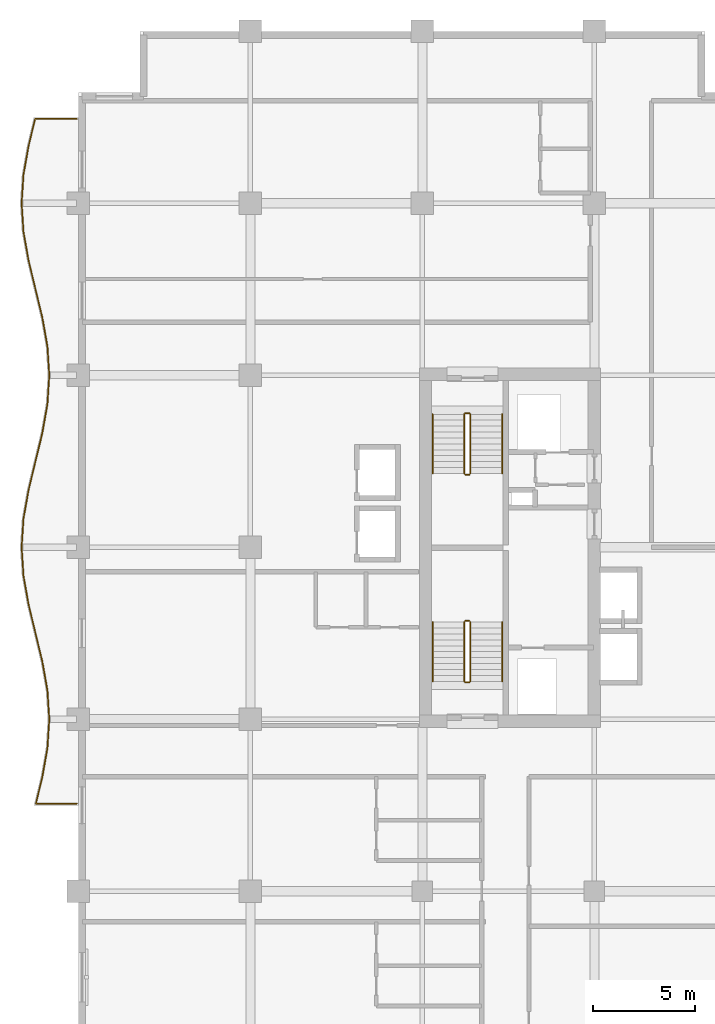
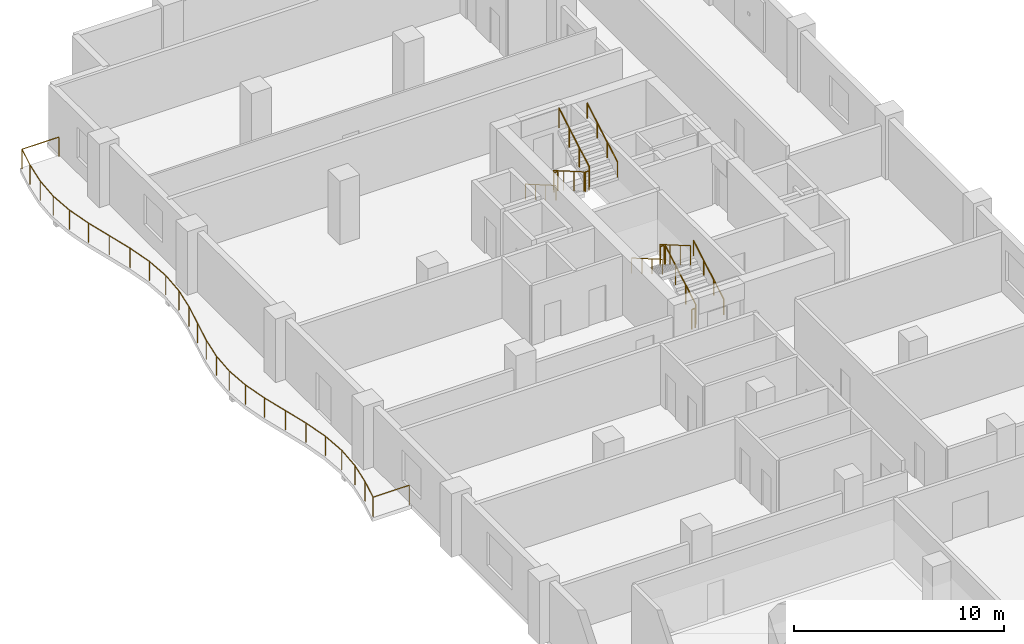
# One storey, part 19 of 20: 13 railings.
"""IFC4 building model written with IfcOpenShell, lengths in metres."""

from ifc_helpers import new_model, si_unit, direction, frame, origin, origin_2d, place, context, subcontext, project, spatial, circle, extrude, material, type_object, element, save


model = new_model("IFC4")

# Units and contexts
model_context = context("Model", 3, precision=1e-05, world=origin(), true_north=direction((0.0, 1.0)))
body_context = subcontext(model_context, "Body", "Model", "MODEL_VIEW")
ifc_project = project(units=[si_unit("LENGTHUNIT", "METRE"), si_unit("AREAUNIT", "SQUARE_METRE"), si_unit("VOLUMEUNIT", "CUBIC_METRE"), si_unit("PLANEANGLEUNIT", "RADIAN"), si_unit("MASSUNIT", "GRAM", prefix="KILO")], contexts=[model_context])

# Site, building, storey
site_placement = place(None, origin())
site = spatial("IfcSite", under=ifc_project, at=site_placement, CompositionType="ELEMENT")
building_placement = place(site_placement, origin())
building = spatial("IfcBuilding", under=site, at=building_placement, Name="Koriwani Terraces Tower", CompositionType="ELEMENT")
storey_placement = place(building_placement, frame((0.0, 0.0, 212.39990234375)))
storey = spatial("IfcBuildingStorey", under=building, at=storey_placement, Name="L52", CompositionType="ELEMENT", Elevation=212.39990234375)

# Railings
ifc_material = material(Name="Steel ASTM A572 Grade 50", Category="steel")
railing_type_1 = type_object("IfcRailingType", Name="GUARD_BALUSTRADE_1150", PredefinedType="BALUSTRADE", material=ifc_material)
railing_1_placement = place(storey_placement, frame((-0.080078125, 37.8798828125, 0.0)))
element("IfcRailing", 1, at=railing_1_placement, inside=storey, type_object=railing_type_1, Name="L52 Balcony Perimeter Safety Balustrade (W)", PredefinedType="BALUSTRADE", context=body_context, shape_type="SweptSolid", body=[
    extrude(circle(Radius=0.02392578125, at=origin_2d()), frame((0.0, 0.0, 1.1259765625), z_axis=(-1.0, 0.0, 0.0), x_axis=(0.0, -1.0, 0.0)), (0.0, 0.0, 1.0), 1.993408203125),
    extrude(circle(Radius=0.02392578125, at=origin_2d()), frame((-1.993408203125, 0.0, 1.1259765625), z_axis=(0.234302390999, 0.972163766848, 0.0), x_axis=(-0.972163766848, 0.234302390999, 0.0)), (0.0, 0.0, 1.0), 1.341064453125),
    extrude(circle(Radius=0.02392578125, at=origin_2d()), frame((-1.67919921875, 1.3037109375, 1.1259765625), z_axis=(0.173785333909, 0.984783558818, 0.0), x_axis=(-0.984783558818, 0.173785333909, 0.0)), (0.0, 0.0, 1.0), 1.4287109375),
    extrude(circle(Radius=0.02392578125, at=origin_2d()), frame((-1.430908203125, 2.710693359375, 1.1259765625), z_axis=(0.064304534842, 0.997930321615, 0.0), x_axis=(-0.997930321615, 0.064304534842, 0.0)), (0.0, 0.0, 1.0), 1.412353515625),
    extrude(circle(Radius=0.02392578125, at=origin_2d()), frame((-1.340087890625, 4.1201171875, 1.1259765625), z_axis=(-0.064304534842, 0.997930321615, 0.0), x_axis=(-0.997930321615, -0.064304534842, 0.0)), (0.0, 0.0, 1.0), 1.412353515625),
    extrude(circle(Radius=0.02392578125, at=origin_2d()), frame((-1.430908203125, 5.529541015625, 1.1259765625), z_axis=(-0.173785333909, 0.984783558818, 0.0), x_axis=(-0.984783558818, -0.173785333909, 0.0)), (0.0, 0.0, 1.0), 1.4287109375),
    extrude(circle(Radius=0.02392578125, at=origin_2d()), frame((-1.67919921875, 6.9365234375, 1.1259765625), z_axis=(-0.234309052487, 0.97216216133, 0.0), x_axis=(-0.97216216133, -0.234309052487, 0.0)), (0.0, 0.0, 1.0), 2.8798828125),
    extrude(circle(Radius=0.02392578125, at=origin_2d()), frame((-2.35400390625, 9.736328125, 1.1259765625), z_axis=(-0.173932985997, 0.984757491153, 0.0), x_axis=(-0.984757491153, -0.173932985997, 0.0)), (0.0, 0.0, 1.0), 1.414794921875),
    extrude(circle(Radius=0.02392578125, at=origin_2d()), frame((-2.60009765625, 11.129638671875, 1.1259765625), z_axis=(-0.064309099225, 0.997930027485, 0.0), x_axis=(-0.997930027485, -0.064309099225, 0.0)), (0.0, 0.0, 1.0), 1.393310546875),
    extrude(circle(Radius=0.02392578125, at=origin_2d()), frame((-2.689697265625, 12.52001953125, 1.1259765625), z_axis=(0.064309099225, 0.997930027485, 0.0), x_axis=(-0.997930027485, 0.064309099225, 0.0)), (0.0, 0.0, 1.0), 1.393310546875),
    extrude(circle(Radius=0.02392578125, at=origin_2d()), frame((-2.60009765625, 13.910400390625, 1.1259765625), z_axis=(0.173932985997, 0.984757491153, 0.0), x_axis=(-0.984757491153, 0.173932985997, 0.0)), (0.0, 0.0, 1.0), 1.414794921875),
    extrude(circle(Radius=0.02392578125, at=origin_2d()), frame((-2.35400390625, 15.3037109375, 1.1259765625), z_axis=(0.234289744186, 0.972166814785, 0.0), x_axis=(-0.972166814785, 0.234289744186, 0.0)), (0.0, 0.0, 1.0), 2.880126953125),
    extrude(circle(Radius=0.02392578125, at=origin_2d()), frame((-1.67919921875, 18.103759765625, 1.1259765625), z_axis=(0.173814583381, 0.984778396698, 0.0), x_axis=(-0.984778396698, 0.173814583381, 0.0)), (0.0, 0.0, 1.0), 1.428466796875),
    extrude(circle(Radius=0.02392578125, at=origin_2d()), frame((-1.430908203125, 19.510498046875, 1.1259765625), z_axis=(0.064293443969, 0.997931036226, 0.0), x_axis=(-0.997931036226, 0.064293443969, 0.0)), (0.0, 0.0, 1.0), 1.41259765625),
    extrude(circle(Radius=0.02392578125, at=origin_2d()), frame((-1.340087890625, 20.920166015625, 1.1259765625), z_axis=(-0.064304534842, 0.997930321615, 0.0), x_axis=(-0.997930321615, -0.064304534842, 0.0)), (0.0, 0.0, 1.0), 1.412353515625),
    extrude(circle(Radius=0.02392578125, at=origin_2d()), frame((-1.430908203125, 22.32958984375, 1.1259765625), z_axis=(-0.173814583381, 0.984778396698, 0.0), x_axis=(-0.984778396698, -0.173814583381, 0.0)), (0.0, 0.0, 1.0), 1.428466796875),
    extrude(circle(Radius=0.02392578125, at=origin_2d()), frame((-1.67919921875, 23.736328125, 1.1259765625), z_axis=(-0.234289744186, 0.972166814785, 0.0), x_axis=(-0.972166814785, -0.234289744186, 0.0)), (0.0, 0.0, 1.0), 2.880126953125),
    extrude(circle(Radius=0.02392578125, at=origin_2d()), frame((-2.35400390625, 26.536376953125, 1.1259765625), z_axis=(-0.173932985997, 0.984757491153, 0.0), x_axis=(-0.984757491153, -0.173932985997, 0.0)), (0.0, 0.0, 1.0), 1.414794921875),
    extrude(circle(Radius=0.02392578125, at=origin_2d()), frame((-2.60009765625, 27.9296875, 1.1259765625), z_axis=(-0.064309099225, 0.997930027485, 0.0), x_axis=(-0.997930027485, -0.064309099225, 0.0)), (0.0, 0.0, 1.0), 1.393310546875),
    extrude(circle(Radius=0.02392578125, at=origin_2d()), frame((-2.689697265625, 29.320068359375, 1.1259765625), z_axis=(0.064309099225, 0.997930027485, 0.0), x_axis=(-0.997930027485, 0.064309099225, 0.0)), (0.0, 0.0, 1.0), 1.393310546875),
    extrude(circle(Radius=0.02392578125, at=origin_2d()), frame((-2.60009765625, 30.71044921875, 1.1259765625), z_axis=(0.173932985997, 0.984757491153, 0.0), x_axis=(-0.984757491153, 0.173932985997, 0.0)), (0.0, 0.0, 1.0), 1.414794921875),
    extrude(circle(Radius=0.02392578125, at=origin_2d()), frame((-2.35400390625, 32.103759765625, 1.1259765625), z_axis=(0.234252790362, 0.97217571982, 0.0), x_axis=(-0.97217571982, 0.234252790362, 0.0)), (0.0, 0.0, 1.0), 1.374755859375),
    extrude(circle(Radius=0.02392578125, at=origin_2d()), frame((-2.031982421875, 33.440185546875, 1.1259765625), z_axis=(1.0, 0.0, 0.0), x_axis=(0.0, 1.0, 0.0)), (0.0, 0.0, 1.0), 2.031982421875),
    extrude(circle(Radius=0.02099609375, at=origin_2d()), origin(), (0.0, 0.0, 1.0), 1.101806640625),
    extrude(circle(Radius=0.02099609375, at=origin_2d()), frame((-1.993408203125, 0.0, 0.0)), (0.0, 0.0, 1.0), 1.101806640625),
    extrude(circle(Radius=0.02099609375, at=origin_2d()), frame((-1.67919921875, 1.3037109375, 0.0)), (0.0, 0.0, 1.0), 1.101806640625),
    extrude(circle(Radius=0.02099609375, at=origin_2d()), frame((-1.430908203125, 2.710693359375, 0.0)), (0.0, 0.0, 1.0), 1.101806640625),
    extrude(circle(Radius=0.02099609375, at=origin_2d()), frame((-1.340087890625, 4.1201171875, 0.0)), (0.0, 0.0, 1.0), 1.101806640625),
    extrude(circle(Radius=0.02099609375, at=origin_2d()), frame((-1.430908203125, 5.529541015625, 0.0)), (0.0, 0.0, 1.0), 1.101806640625),
    extrude(circle(Radius=0.02099609375, at=origin_2d()), frame((-1.67919921875, 6.9365234375, 0.0)), (0.0, 0.0, 1.0), 1.101806640625),
    extrude(circle(Radius=0.02099609375, at=origin_2d()), frame((-2.0166015625, 8.33642578125, 0.0)), (0.0, 0.0, 1.0), 1.101806640625),
    extrude(circle(Radius=0.02099609375, at=origin_2d()), frame((-2.35400390625, 9.736328125, 0.0)), (0.0, 0.0, 1.0), 1.101806640625),
    extrude(circle(Radius=0.02099609375, at=origin_2d()), frame((-2.60009765625, 11.129638671875, 0.0)), (0.0, 0.0, 1.0), 1.101806640625),
    extrude(circle(Radius=0.02099609375, at=origin_2d()), frame((-2.689697265625, 12.52001953125, 0.0)), (0.0, 0.0, 1.0), 1.101806640625),
    extrude(circle(Radius=0.02099609375, at=origin_2d()), frame((-2.60009765625, 13.910400390625, 0.0)), (0.0, 0.0, 1.0), 1.101806640625),
    extrude(circle(Radius=0.02099609375, at=origin_2d()), frame((-2.35400390625, 15.3037109375, 0.0)), (0.0, 0.0, 1.0), 1.101806640625),
    extrude(circle(Radius=0.02099609375, at=origin_2d()), frame((-2.0166015625, 16.70361328125, 0.0)), (0.0, 0.0, 1.0), 1.101806640625),
    extrude(circle(Radius=0.02099609375, at=origin_2d()), frame((-1.67919921875, 18.103759765625, 0.0)), (0.0, 0.0, 1.0), 1.101806640625),
    extrude(circle(Radius=0.02099609375, at=origin_2d()), frame((-1.430908203125, 19.510498046875, 0.0)), (0.0, 0.0, 1.0), 1.101806640625),
    extrude(circle(Radius=0.02099609375, at=origin_2d()), frame((-1.340087890625, 20.920166015625, 0.0)), (0.0, 0.0, 1.0), 1.101806640625),
    extrude(circle(Radius=0.02099609375, at=origin_2d()), frame((-1.430908203125, 22.32958984375, 0.0)), (0.0, 0.0, 1.0), 1.101806640625),
    extrude(circle(Radius=0.02099609375, at=origin_2d()), frame((-1.67919921875, 23.736328125, 0.0)), (0.0, 0.0, 1.0), 1.101806640625),
    extrude(circle(Radius=0.02099609375, at=origin_2d()), frame((-2.0166015625, 25.13623046875, 0.0)), (0.0, 0.0, 1.0), 1.101806640625),
    extrude(circle(Radius=0.02099609375, at=origin_2d()), frame((-2.35400390625, 26.536376953125, 0.0)), (0.0, 0.0, 1.0), 1.101806640625),
    extrude(circle(Radius=0.02099609375, at=origin_2d()), frame((-2.60009765625, 27.9296875, 0.0)), (0.0, 0.0, 1.0), 1.101806640625),
    extrude(circle(Radius=0.02099609375, at=origin_2d()), frame((-2.689697265625, 29.320068359375, 0.0)), (0.0, 0.0, 1.0), 1.101806640625),
    extrude(circle(Radius=0.02099609375, at=origin_2d()), frame((-2.60009765625, 30.71044921875, 0.0)), (0.0, 0.0, 1.0), 1.101806640625),
    extrude(circle(Radius=0.02099609375, at=origin_2d()), frame((-2.35400390625, 32.103759765625, 0.0)), (0.0, 0.0, 1.0), 1.101806640625),
    extrude(circle(Radius=0.02099609375, at=origin_2d()), frame((-2.031982421875, 33.440185546875, 0.0)), (0.0, 0.0, 1.0), 1.101806640625),
    extrude(circle(Radius=0.02099609375, at=origin_2d()), frame((0.0, 33.440185546875, 0.0)), (0.0, 0.0, 1.0), 1.101806640625),
])
railing_type_2 = type_object("IfcRailingType", Name="GUARD_STAIR_WELL_1120", PredefinedType="GUARDRAIL", material=ifc_material)
railing_2_placement = place(storey_placement, frame((19.14990234375, 43.85009765625, 0.168212890625)))
element("IfcRailing", 2, at=railing_2_placement, inside=storey, type_object=railing_type_2, Name="L52 ST-W1 stair guard 1", PredefinedType="GUARDRAIL", context=body_context, shape_type="SweptSolid", body=[
    extrude(circle(Radius=0.02392578125, at=origin_2d()), frame((0.0, 0.0, 1.1259765625), z_axis=(0.0, 0.865038774852, 0.501705010941), x_axis=(-1.0, 0.0, 0.0)), (0.0, 0.0, 1.0), 3.352294921875),
    extrude(circle(Radius=0.02099609375, at=origin_2d()), origin(), (0.0, 0.0, 1.0), 1.101806640625),
    extrude(circle(Radius=0.02099609375, at=origin_2d()), frame((0.0, 0.966552734375, 0.560546875)), (0.0, 0.0, 1.0), 1.101806640625),
    extrude(circle(Radius=0.02099609375, at=origin_2d()), frame((0.0, 1.933349609375, 1.121337890625)), (0.0, 0.0, 1.0), 1.101806640625),
    extrude(circle(Radius=0.02099609375, at=origin_2d()), frame((0.0, 2.89990234375, 1.681884765625)), (0.0, 0.0, 1.0), 1.101806640625),
])
railing_3_placement = place(storey_placement, frame((19.10009765625, 46.800048828125, 1.85009765625)))
element("IfcRailing", 3, at=railing_3_placement, inside=storey, type_object=railing_type_2, Name="L52 ST-W1 stair guard 2", PredefinedType="GUARDRAIL", context=body_context, shape_type="SweptSolid", body=[
    extrude(circle(Radius=0.02392578125, at=origin_2d()), frame((0.0, 0.0, 1.1259765625), z_axis=(-1.0, 0.0, 0.0), x_axis=(0.0, -1.0, 0.0)), (0.0, 0.0, 1.0), 0.2001953125),
    extrude(circle(Radius=0.02099609375, at=origin_2d()), origin(), (0.0, 0.0, 1.0), 1.101806640625),
    extrude(circle(Radius=0.02099609375, at=origin_2d()), frame((-0.2001953125, 0.0, 0.0)), (0.0, 0.0, 1.0), 1.101806640625),
])
railing_4_placement = place(storey_placement, frame((18.85009765625, 46.75, 2.018310546875)))
element("IfcRailing", 4, at=railing_4_placement, inside=storey, type_object=railing_type_2, Name="L52 ST-W1 stair guard 3", PredefinedType="GUARDRAIL", context=body_context, shape_type="SweptSolid", body=[
    extrude(circle(Radius=0.02392578125, at=origin_2d()), frame((0.0, 0.0, 1.1259765625), z_axis=(0.0, -0.865038774852, 0.501705010941), x_axis=(1.0, 0.0, 0.0)), (0.0, 0.0, 1.0), 3.352294921875),
    extrude(circle(Radius=0.02099609375, at=origin_2d()), origin(), (0.0, 0.0, 1.0), 1.101806640625),
    extrude(circle(Radius=0.02099609375, at=origin_2d()), frame((0.0, -0.966552734375, 0.560546875)), (0.0, 0.0, 1.0), 1.101806640625),
    extrude(circle(Radius=0.02099609375, at=origin_2d()), frame((0.0, -1.933349609375, 1.121337890625)), (0.0, 0.0, 1.0), 1.101806640625),
    extrude(circle(Radius=0.02099609375, at=origin_2d()), frame((0.0, -2.89990234375, 1.681884765625)), (0.0, 0.0, 1.0), 1.101806640625),
])
railing_5_placement = place(storey_placement, frame((19.10009765625, 43.800048828125, 0.0)))
element("IfcRailing", 5, at=railing_5_placement, inside=storey, type_object=railing_type_2, Name="L52 ST-W1 stair guard 4", PredefinedType="GUARDRAIL", context=body_context, shape_type="SweptSolid", body=[
    extrude(circle(Radius=0.02392578125, at=origin_2d()), frame((0.0, 0.0, 1.1259765625), z_axis=(-1.0, 0.0, 0.0), x_axis=(0.0, -1.0, 0.0)), (0.0, 0.0, 1.0), 0.2001953125),
    extrude(circle(Radius=0.02099609375, at=origin_2d()), origin(), (0.0, 0.0, 1.0), 1.101806640625),
    extrude(circle(Radius=0.02099609375, at=origin_2d()), frame((-0.2001953125, 0.0, 0.0)), (0.0, 0.0, 1.0), 1.101806640625),
])
railing_6_placement = place(storey_placement, frame((18.85009765625, 56.89990234375, 0.168212890625)))
element("IfcRailing", 6, at=railing_6_placement, inside=storey, type_object=railing_type_2, Name="L52 ST-W2 stair guard 1", PredefinedType="GUARDRAIL", context=body_context, shape_type="SweptSolid", body=[
    extrude(circle(Radius=0.02392578125, at=origin_2d()), frame((0.0, 0.0, 1.1259765625), z_axis=(0.0, -0.865038774852, 0.501705010941), x_axis=(1.0, 0.0, 0.0)), (0.0, 0.0, 1.0), 3.352294921875),
    extrude(circle(Radius=0.02099609375, at=origin_2d()), origin(), (0.0, 0.0, 1.0), 1.101806640625),
    extrude(circle(Radius=0.02099609375, at=origin_2d()), frame((0.0, -0.966552734375, 0.560546875)), (0.0, 0.0, 1.0), 1.101806640625),
    extrude(circle(Radius=0.02099609375, at=origin_2d()), frame((0.0, -1.933349609375, 1.121337890625)), (0.0, 0.0, 1.0), 1.101806640625),
    extrude(circle(Radius=0.02099609375, at=origin_2d()), frame((0.0, -2.89990234375, 1.681884765625)), (0.0, 0.0, 1.0), 1.101806640625),
])
railing_7_placement = place(storey_placement, frame((18.89990234375, 53.949951171875, 1.85009765625)))
element("IfcRailing", 7, at=railing_7_placement, inside=storey, type_object=railing_type_2, Name="L52 ST-W2 stair guard 2", PredefinedType="GUARDRAIL", context=body_context, shape_type="SweptSolid", body=[
    extrude(circle(Radius=0.02392578125, at=origin_2d()), frame((0.0, 0.0, 1.1259765625), z_axis=(1.0, 0.0, 0.0), x_axis=(0.0, 1.0, 0.0)), (0.0, 0.0, 1.0), 0.2001953125),
    extrude(circle(Radius=0.02099609375, at=origin_2d()), origin(), (0.0, 0.0, 1.0), 1.101806640625),
    extrude(circle(Radius=0.02099609375, at=origin_2d()), frame((0.2001953125, 0.0, 0.0)), (0.0, 0.0, 1.0), 1.101806640625),
])
railing_8_placement = place(storey_placement, frame((19.14990234375, 54.0, 2.018310546875)))
element("IfcRailing", 8, at=railing_8_placement, inside=storey, type_object=railing_type_2, Name="L52 ST-W2 stair guard 3", PredefinedType="GUARDRAIL", context=body_context, shape_type="SweptSolid", body=[
    extrude(circle(Radius=0.02392578125, at=origin_2d()), frame((0.0, 0.0, 1.1259765625), z_axis=(0.0, 0.865038774852, 0.501705010941), x_axis=(-1.0, 0.0, 0.0)), (0.0, 0.0, 1.0), 3.352294921875),
    extrude(circle(Radius=0.02099609375, at=origin_2d()), origin(), (0.0, 0.0, 1.0), 1.101806640625),
    extrude(circle(Radius=0.02099609375, at=origin_2d()), frame((0.0, 0.966552734375, 0.560546875)), (0.0, 0.0, 1.0), 1.101806640625),
    extrude(circle(Radius=0.02099609375, at=origin_2d()), frame((0.0, 1.933349609375, 1.121337890625)), (0.0, 0.0, 1.0), 1.101806640625),
    extrude(circle(Radius=0.02099609375, at=origin_2d()), frame((0.0, 2.89990234375, 1.681884765625)), (0.0, 0.0, 1.0), 1.101806640625),
])
railing_9_placement = place(storey_placement, frame((18.89990234375, 56.949951171875, 0.0)))
element("IfcRailing", 9, at=railing_9_placement, inside=storey, type_object=railing_type_2, Name="L52 ST-W2 stair guard 4", PredefinedType="GUARDRAIL", context=body_context, shape_type="SweptSolid", body=[
    extrude(circle(Radius=0.02392578125, at=origin_2d()), frame((0.0, 0.0, 1.1259765625), z_axis=(1.0, 0.0, 0.0), x_axis=(0.0, 1.0, 0.0)), (0.0, 0.0, 1.0), 0.2001953125),
    extrude(circle(Radius=0.02099609375, at=origin_2d()), origin(), (0.0, 0.0, 1.0), 1.101806640625),
    extrude(circle(Radius=0.02099609375, at=origin_2d()), frame((0.2001953125, 0.0, 0.0)), (0.0, 0.0, 1.0), 1.101806640625),
])
railing_type_3 = type_object("IfcRailingType", Name="HANDRAIL_STAIR_920", PredefinedType="HANDRAIL", material=ifc_material)
railing_10_placement = place(storey_placement, frame((20.699951171875, 43.85009765625, 0.168212890625)))
element("IfcRailing", 10, at=railing_10_placement, inside=storey, type_object=railing_type_3, Name="L52 ST-W1 stair handrail 1", PredefinedType="HANDRAIL", context=body_context, shape_type="SweptSolid", body=[
    extrude(circle(Radius=0.02392578125, at=origin_2d()), frame((0.0, 0.0, 0.8759765625), z_axis=(0.0, 0.865038774852, 0.501705010941), x_axis=(-1.0, 0.0, 0.0)), (0.0, 0.0, 1.0), 3.352294921875),
    extrude(circle(Radius=0.02099609375, at=origin_2d()), origin(), (0.0, 0.0, 1.0), 0.851806640625),
    extrude(circle(Radius=0.02099609375, at=origin_2d()), frame((0.0, 0.966552734375, 0.560546875)), (0.0, 0.0, 1.0), 0.851806640625),
    extrude(circle(Radius=0.02099609375, at=origin_2d()), frame((0.0, 1.933349609375, 1.121337890625)), (0.0, 0.0, 1.0), 0.851806640625),
    extrude(circle(Radius=0.02099609375, at=origin_2d()), frame((0.0, 2.89990234375, 1.681884765625)), (0.0, 0.0, 1.0), 0.851806640625),
])
for number, where, name in (
    (11, (17.300048828125, 46.75, 2.018310546875), "L52 ST-W1 stair handrail 2"),
    (12, (17.300048828125, 56.89990234375, 0.168212890625), "L52 ST-W2 stair handrail 1"),
):
    element("IfcRailing", number, at=place(storey_placement, frame(where)), inside=storey, type_object=railing_type_3, Name=name, PredefinedType="HANDRAIL", context=body_context, shape_type="SweptSolid", body=[
        extrude(circle(Radius=0.02392578125, at=origin_2d()), frame((0.0, 0.0, 0.8759765625), z_axis=(0.0, -0.865038774852, 0.501705010941), x_axis=(1.0, 0.0, 0.0)), (0.0, 0.0, 1.0), 3.352294921875),
        extrude(circle(Radius=0.02099609375, at=origin_2d()), origin(), (0.0, 0.0, 1.0), 0.851806640625),
        extrude(circle(Radius=0.02099609375, at=origin_2d()), frame((0.0, -0.966552734375, 0.560546875)), (0.0, 0.0, 1.0), 0.851806640625),
        extrude(circle(Radius=0.02099609375, at=origin_2d()), frame((0.0, -1.933349609375, 1.121337890625)), (0.0, 0.0, 1.0), 0.851806640625),
        extrude(circle(Radius=0.02099609375, at=origin_2d()), frame((0.0, -2.89990234375, 1.681884765625)), (0.0, 0.0, 1.0), 0.851806640625),
    ])
railing_11_placement = place(storey_placement, frame((20.699951171875, 54.0, 2.018310546875)))
element("IfcRailing", 13, at=railing_11_placement, inside=storey, type_object=railing_type_3, Name="L52 ST-W2 stair handrail 2", PredefinedType="HANDRAIL", context=body_context, shape_type="SweptSolid", body=[
    extrude(circle(Radius=0.02392578125, at=origin_2d()), frame((0.0, 0.0, 0.8759765625), z_axis=(0.0, 0.865038774852, 0.501705010941), x_axis=(-1.0, 0.0, 0.0)), (0.0, 0.0, 1.0), 3.352294921875),
    extrude(circle(Radius=0.02099609375, at=origin_2d()), origin(), (0.0, 0.0, 1.0), 0.851806640625),
    extrude(circle(Radius=0.02099609375, at=origin_2d()), frame((0.0, 0.966552734375, 0.560546875)), (0.0, 0.0, 1.0), 0.851806640625),
    extrude(circle(Radius=0.02099609375, at=origin_2d()), frame((0.0, 1.933349609375, 1.121337890625)), (0.0, 0.0, 1.0), 0.851806640625),
    extrude(circle(Radius=0.02099609375, at=origin_2d()), frame((0.0, 2.89990234375, 1.681884765625)), (0.0, 0.0, 1.0), 0.851806640625),
])

save(model, "model.ifc")
